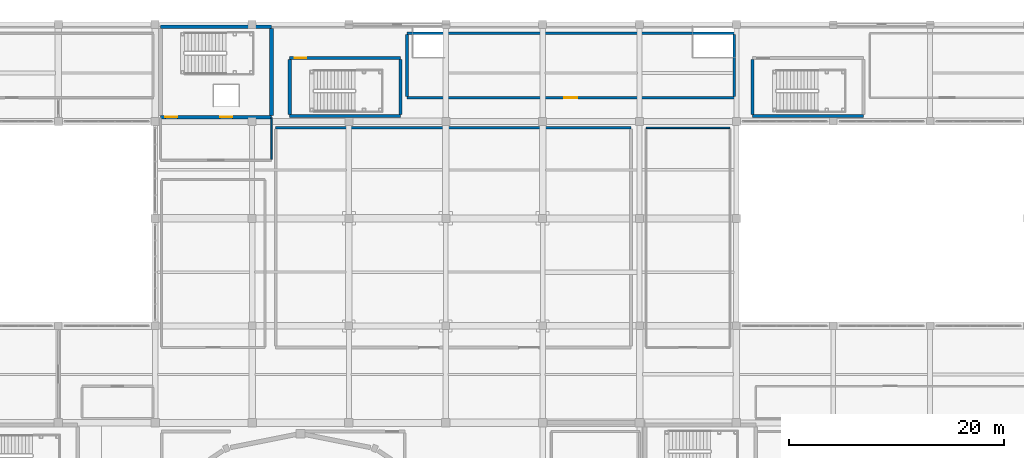
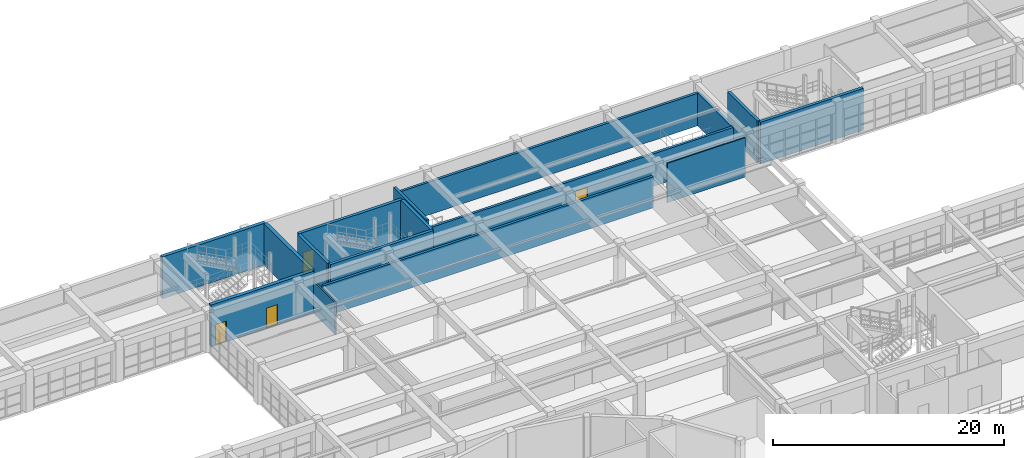
# One storey, part 114 of 133: 16 walls, 4 doors, 4 openings.
"""IFC4 building model written with IfcOpenShell, lengths in metres."""

from ifc_helpers import new_model, si_unit, direction, frame, frame_2d, origin, place, context, subcontext, project, spatial, rectangle, extrude, material, layer, layer_set, type_object, element, fill, save


model = new_model("IFC4")

# Units and contexts
model_context = context("Model", 3, precision=1e-05, world=origin(), true_north=direction((0.0, 1.0)))
body_context = subcontext(model_context, "Body", "Model", "MODEL_VIEW")
ifc_project = project(units=[si_unit("LENGTHUNIT", "METRE"), si_unit("AREAUNIT", "SQUARE_METRE"), si_unit("VOLUMEUNIT", "CUBIC_METRE"), si_unit("PLANEANGLEUNIT", "RADIAN"), si_unit("MASSUNIT", "GRAM", prefix="KILO")], contexts=[model_context])

# Site, building, storey
site_placement = place(None, origin())
site = spatial("IfcSite", under=ifc_project, at=site_placement, CompositionType="ELEMENT")
building_placement = place(site_placement, origin())
building = spatial("IfcBuilding", under=site, at=building_placement, Name="Miravela Opera House", CompositionType="ELEMENT")
storey_placement = place(building_placement, frame((0.0, 0.0, 5.10009765625)))
storey = spatial("IfcBuildingStorey", under=building, at=storey_placement, Name="L01", CompositionType="ELEMENT", Elevation=5.10009765625)

# Walls
ifc_material_1 = material(Name="Fire-rated acoustic gypsum partition")
ifc_layer_1 = layer(ifc_material_1, 0.1298828125)
ifc_layer_set_1 = layer_set([ifc_layer_1])
wall_type_1 = type_object("IfcWallType", Name="ARC-PT-130", PredefinedType="PARTITIONING", material=ifc_layer_set_1)
wall_1_placement = place(storey_placement, frame((108.60009765625, 102.39990234375, 0.0), z_axis=(0.0, 0.0, 1.0), x_axis=(1.0, 0.0, 0.0)))
element("IfcWall", 1, at=wall_1_placement, inside=storey, type_object=wall_type_1, Name="Studio Theatre Wing and Sound Control Room Partition North", PredefinedType="PARTITIONING", context=body_context, shape_type="SweptSolid", body=[
    extrude(rectangle(XDim=7.7998046875, YDim=0.1298828125, at=frame_2d((3.89990234375, 0.0))), origin(), (0.0, 0.0, 1.0), 4.159912109375),
])
ifc_material_2 = material(Name="Studio double-stud acoustic partition")
ifc_layer_2 = layer(ifc_material_2, 0.14990234375)
ifc_layer_set_2 = layer_set([ifc_layer_2])
wall_type_2 = type_object("IfcWallType", Name="ARC-PT-145", PredefinedType="PARTITIONING", material=ifc_layer_set_2)
wall_2_placement = place(storey_placement, frame((73.800048828125, 99.47509765625, 0.0), z_axis=(0.0, 0.0, 1.0), x_axis=(0.0, 1.0, 0.0)))
element("IfcWall", 2, at=wall_2_placement, inside=storey, type_object=wall_type_2, Name="Passenger Lift Lobby K5 L01 Partition East", PredefinedType="PARTITIONING", context=body_context, shape_type="SweptSolid", body=[
    extrude(rectangle(XDim=3.849853515625, YDim=0.14990234375, at=frame_2d((1.9248046875, 0.0))), origin(), (0.0, 0.0, 1.0), 3.389892578125),
])
ifc_material_3 = material(Name="Firefighting lobby compartment wall")
ifc_layer_3 = layer(ifc_material_3, 0.25)
ifc_layer_set_3 = layer_set([ifc_layer_3])
wall_type_3 = type_object("IfcWallType", Name="ARC-PT-220", PredefinedType="PARTITIONING", material=ifc_layer_set_3)
wall_3_placement = place(storey_placement, frame((74.199951171875, 102.39990234375, 0.0), z_axis=(0.0, 0.0, 1.0), x_axis=(1.0, 0.0, 0.0)))
element("IfcWall", 3, at=wall_3_placement, inside=storey, type_object=wall_type_3, Name="Chamber Studio Theatre Stalls Partition North", PredefinedType="PARTITIONING", context=body_context, shape_type="SweptSolid", body=[
    extrude(rectangle(XDim=33.0, YDim=0.25, at=frame_2d((16.5, 0.0))), origin(), (0.0, 0.0, 1.0), 3.289794921875),
])

# Wall, opening, door
wall_4_placement = place(storey_placement, frame((86.39990234375, 105.199951171875, 0.0), z_axis=(0.0, 0.0, 1.0), x_axis=(1.0, 0.0, 0.0)))
wall_4 = element("IfcWall", 4, at=wall_4_placement, inside=storey, type_object=wall_type_3, Name="Historical Libretto Archive Room Partition South", PredefinedType="PARTITIONING", context=body_context, shape_type="SweptSolid", body=[
    extrude(rectangle(XDim=30.400146484375, YDim=0.25, at=frame_2d((15.2001953125, 0.0))), origin(), (0.0, 0.0, 1.0), 3.43994140625),
])
opening_1_placement = place(wall_4_placement, frame((14.60009765625, 0.0, 0.0)))
opening_1 = element("IfcOpeningElement", 5, at=opening_1_placement, cuts=wall_4, Name="Opening ID-04", PredefinedType="OPENING", context=body_context, shape_type="SweptSolid", body=[
    extrude(rectangle(XDim=1.199951171875, YDim=2.199951171875, at=frame_2d((0.60009765625, 1.10009765625))), frame((0.0, 0.135009765625, 0.0), z_axis=(0.0, -1.0, 0.0), x_axis=(1.0, 0.0, 0.0)), (0.0, 0.0, 1.0), 0.27001953125),
])
ifc_material_4 = material(Name="Wide acoustic ensemble door")
door_type_1 = type_object("IfcDoorType", Name="ARC-DR-1200X2200", OperationType="NOTDEFINED", PredefinedType="DOOR", material=ifc_material_4)
door_1_placement = place(opening_1_placement, origin())
door_1 = element("IfcDoor", 6, at=door_1_placement, inside=storey, type_object=door_type_1, Name="Historical Libretto Archive Room Entry Door IDR-L01-0212", OperationType="SINGLE_SWING_RIGHT", OverallHeight=2.199951171875, OverallWidth=1.199951171875, PredefinedType="DOOR", context=body_context, shape_type="SweptSolid", body=[
    extrude(rectangle(XDim=1.199951171875, YDim=2.199951171875, at=frame_2d((0.60009765625, 1.10009765625))), frame((0.0, 0.02490234375, 0.0), z_axis=(0.0, -1.0, 0.0), x_axis=(1.0, 0.0, 0.0)), (0.0, 0.0, 1.0), 0.050048828125),
])
fill(opening_1, door_1)

# Walls
wall_5_placement = place(storey_placement, frame((86.39990234375, 111.199951171875, 0.0), z_axis=(0.0, 0.0, 1.0), x_axis=(1.0, 0.0, 0.0)))
element("IfcWall", 7, at=wall_5_placement, inside=storey, type_object=wall_type_3, Name="Historical Libretto Archive Room Partition North", PredefinedType="PARTITIONING", context=body_context, shape_type="SweptSolid", body=[
    extrude(rectangle(XDim=30.400146484375, YDim=0.25, at=frame_2d((15.2001953125, 0.0))), origin(), (0.0, 0.0, 1.0), 3.43994140625),
])
wall_6_placement = place(storey_placement, frame((86.39990234375, 105.324951171875, 0.0), z_axis=(0.0, 0.0, 1.0), x_axis=(0.0, 1.0, 0.0)))
element("IfcWall", 8, at=wall_6_placement, inside=storey, type_object=wall_type_3, Name="Historical Libretto Archive Room Partition West", PredefinedType="PARTITIONING", context=body_context, shape_type="SweptSolid", body=[
    extrude(rectangle(XDim=5.75, YDim=0.25, at=frame_2d((2.875, 0.0))), origin(), (0.0, 0.0, 1.0), 4.159912109375),
])
wall_7_placement = place(storey_placement, frame((116.800048828125, 105.324951171875, 0.0), z_axis=(0.0, 0.0, 1.0), x_axis=(0.0, 1.0, 0.0)))
element("IfcWall", 9, at=wall_7_placement, inside=storey, type_object=wall_type_3, Name="Historical Libretto Archive Room Partition East", PredefinedType="PARTITIONING", context=body_context, shape_type="SweptSolid", body=[
    extrude(rectangle(XDim=5.75, YDim=0.25, at=frame_2d((2.875, 0.0))), origin(), (0.0, 0.0, 1.0), 3.489990234375),
])

# Wall, openings, doors
ifc_material_5 = material(Name="Concrete C40/50", Category="concrete")
ifc_layer_4 = layer(ifc_material_5, 0.35009765625)
ifc_layer_set_4 = layer_set([ifc_layer_4])
wall_type_4 = type_object("IfcWallType", Name="STR-WALL-CORE-350", PredefinedType="SHEAR", material=ifc_layer_set_4)
wall_8_placement = place(storey_placement, frame((63.5, 103.39990234375, 0.0), z_axis=(0.0, 0.0, 1.0), x_axis=(1.0, 0.0, 0.0)))
wall_8 = element("IfcWall", 10, at=wall_8_placement, inside=storey, type_object=wall_type_4, Name="Core K5 Shear Wall South (L01)", PredefinedType="SHEAR", context=body_context, shape_type="SweptSolid", body=[
    extrude(rectangle(XDim=10.300048828125, YDim=0.35009765625, at=frame_2d((5.14990234375, 0.0))), origin(), (0.0, 0.0, 1.0), 4.419921875),
])
opening_2_placement = place(wall_8_placement, frame((0.449951171875, 0.0, 0.0)))
opening_2 = element("IfcOpeningElement", 11, at=opening_2_placement, cuts=wall_8, Name="Opening FD-01", PredefinedType="OPENING", context=body_context, shape_type="SweptSolid", body=[
    extrude(rectangle(XDim=1.10009765625, YDim=2.199951171875, at=frame_2d((0.550048828125, 1.10009765625))), frame((0.0, 0.18505859375, 0.0), z_axis=(0.0, -1.0, 0.0), x_axis=(1.0, 0.0, 0.0)), (0.0, 0.0, 1.0), 0.3701171875),
])
opening_3_placement = place(wall_8_placement, frame((5.5400390625, 0.0, 0.0)))
opening_3 = element("IfcOpeningElement", 12, at=opening_3_placement, cuts=wall_8, Name="Opening LD-02", PredefinedType="OPENING", context=body_context, shape_type="SweptSolid", body=[
    extrude(rectangle(XDim=1.1201171875, YDim=2.159912109375, at=frame_2d((0.56005859375, 1.080078125))), frame((0.0, 0.18505859375, 0.0), z_axis=(0.0, -1.0, 0.0), x_axis=(1.0, 0.0, 0.0)), (0.0, 0.0, 1.0), 0.3701171875),
])
ifc_material_6 = material(Name="Fire-rated steel/hardwood exit stair door", Category="steel")
door_type_2 = type_object("IfcDoorType", Name="ARC-FD-1100X2200", OperationType="NOTDEFINED", PredefinedType="DOOR", material=ifc_material_6)
door_2_placement = place(opening_2_placement, origin())
door_2 = element("IfcDoor", 13, at=door_2_placement, inside=storey, type_object=door_type_2, Name="Exit Stair ST-05 Rated Door (L01) IDR-L01-0032", OperationType="SINGLE_SWING_RIGHT", OverallHeight=2.199951171875, OverallWidth=1.10009765625, PredefinedType="DOOR", context=body_context, shape_type="SweptSolid", body=[
    extrude(rectangle(XDim=1.10009765625, YDim=2.199951171875, at=frame_2d((0.550048828125, 1.10009765625))), frame((0.0, 0.02490234375, 0.0), z_axis=(0.0, -1.0, 0.0), x_axis=(1.0, 0.0, 0.0)), (0.0, 0.0, 1.0), 0.050048828125),
])
fill(opening_2, door_2)
ifc_material_7 = material(Name="Brushed stainless and bronze fire-rated lift landing door")
door_type_3 = type_object("IfcDoorType", Name="ARC-LD-PAX-1100X2150", OperationType="SLIDING_TO_LEFT", PredefinedType="DOOR", material=ifc_material_7)
door_3_placement = place(opening_3_placement, origin())
door_3 = element("IfcDoor", 14, at=door_3_placement, inside=storey, type_object=door_type_3, Name="Lift Landing Door PL-04 (L01)", OperationType="SLIDING_TO_LEFT", OverallHeight=2.159912109375, OverallWidth=1.1201171875, PredefinedType="DOOR", context=body_context, shape_type="SweptSolid", body=[
    extrude(rectangle(XDim=1.1201171875, YDim=2.159912109375, at=frame_2d((0.56005859375, 1.080078125))), frame((0.0, 0.02490234375, 0.0), z_axis=(0.0, -1.0, 0.0), x_axis=(1.0, 0.0, 0.0)), (0.0, 0.0, 1.0), 0.050048828125),
])
fill(opening_3, door_3)

# Walls
wall_9_placement = place(storey_placement, frame((63.5, 111.800048828125, 0.0), z_axis=(0.0, 0.0, 1.0), x_axis=(1.0, 0.0, 0.0)))
element("IfcWall", 15, at=wall_9_placement, inside=storey, type_object=wall_type_4, Name="Core K5 Shear Wall North (L01)", PredefinedType="SHEAR", context=body_context, shape_type="SweptSolid", body=[
    extrude(rectangle(XDim=10.300048828125, YDim=0.35009765625, at=frame_2d((5.14990234375, 0.0))), origin(), (0.0, 0.0, 1.0), 4.419921875),
])
wall_10_placement = place(storey_placement, frame((73.800048828125, 103.574951171875, 0.0), z_axis=(0.0, 0.0, 1.0), x_axis=(0.0, 1.0, 0.0)))
element("IfcWall", 16, at=wall_10_placement, inside=storey, type_object=wall_type_4, Name="Core K5 Shear Wall East (L01)", PredefinedType="SHEAR", context=body_context, shape_type="SweptSolid", body=[
    extrude(rectangle(XDim=8.050048828125, YDim=0.35009765625, at=frame_2d((4.02490234375, 0.0))), origin(), (0.0, 0.0, 1.0), 4.419921875),
])
ifc_material_8 = material(Name="Concrete C35/45", Category="concrete")
ifc_layer_5 = layer(ifc_material_8, 0.300048828125)
ifc_layer_set_5 = layer_set([ifc_layer_5])
wall_type_5 = type_object("IfcWallType", Name="STR-WALL-WING-300", PredefinedType="SHEAR", material=ifc_layer_set_5)
wall_11_placement = place(storey_placement, frame((75.5, 103.5, 0.0), z_axis=(0.0, 0.0, 1.0), x_axis=(1.0, 0.0, 0.0)))
element("IfcWall", 17, at=wall_11_placement, inside=storey, type_object=wall_type_5, Name="Core ST-07 Shear Wall South (L01)", PredefinedType="SHEAR", context=body_context, shape_type="SweptSolid", body=[
    extrude(rectangle(XDim=10.300048828125, YDim=0.300048828125, at=frame_2d((5.14990234375, 0.0))), origin(), (0.0, 0.0, 1.0), 4.419921875),
])

# Wall, opening, door
wall_12_placement = place(storey_placement, frame((75.5, 108.89990234375, 0.0), z_axis=(0.0, 0.0, 1.0), x_axis=(1.0, 0.0, 0.0)))
wall_12 = element("IfcWall", 18, at=wall_12_placement, inside=storey, type_object=wall_type_5, Name="Core ST-07 Shear Wall North (L01)", PredefinedType="SHEAR", context=body_context, shape_type="SweptSolid", body=[
    extrude(rectangle(XDim=10.300048828125, YDim=0.300048828125, at=frame_2d((5.14990234375, 0.0))), origin(), (0.0, 0.0, 1.0), 4.419921875),
])
opening_4_placement = place(wall_12_placement, frame((0.449951171875, 0.0, 0.0)))
opening_4 = element("IfcOpeningElement", 19, at=opening_4_placement, cuts=wall_12, Name="Opening FD-01", PredefinedType="OPENING", context=body_context, shape_type="SweptSolid", body=[
    extrude(rectangle(XDim=1.10009765625, YDim=2.199951171875, at=frame_2d((0.550048828125, 1.10009765625))), frame((0.0, 0.159912109375, 0.0), z_axis=(0.0, -1.0, 0.0), x_axis=(1.0, 0.0, 0.0)), (0.0, 0.0, 1.0), 0.320068359375),
])
door_4_placement = place(opening_4_placement, frame((1.10009765625, 0.0, 0.0), z_axis=(0.0, 0.0, 1.0), x_axis=(-1.0, 0.0, 0.0)))
door_4 = element("IfcDoor", 20, at=door_4_placement, inside=storey, type_object=door_type_2, Name="Exit Stair ST-07 Rated Door (L01) IDR-L01-0043", OperationType="SINGLE_SWING_LEFT", OverallHeight=2.199951171875, OverallWidth=1.10009765625, PredefinedType="DOOR", context=body_context, shape_type="SweptSolid", body=[
    extrude(rectangle(XDim=1.10009765625, YDim=2.199951171875, at=frame_2d((0.550048828125, 1.10009765625))), frame((0.0, 0.02490234375, 0.0), z_axis=(0.0, -1.0, 0.0), x_axis=(1.0, 0.0, 0.0)), (0.0, 0.0, 1.0), 0.050048828125),
])
fill(opening_4, door_4)

# Walls
for number, where, z_axis, x_axis, name in (
    (21, (75.5, 103.64990234375, 0.0), (0.0, 0.0, 1.0), (0.0, 1.0, 0.0), "Core ST-07 Shear Wall West (L01)"),
    (22, (85.800048828125, 103.64990234375, 0.0), (0.0, 0.0, 1.0), (0.0, 1.0, 0.0), "Core ST-07 Shear Wall East (L01)"),
):
    element("IfcWall", number, at=place(storey_placement, frame(where, z_axis=z_axis, x_axis=x_axis)), inside=storey, type_object=wall_type_5, Name=name, PredefinedType="SHEAR", context=body_context, shape_type="SweptSolid", body=[
        extrude(rectangle(XDim=5.10009765625, YDim=0.300048828125, at=frame_2d((2.550048828125, 0.0))), origin(), (0.0, 0.0, 1.0), 4.419921875),
    ])
wall_13_placement = place(storey_placement, frame((118.5, 103.5, 0.0), z_axis=(0.0, 0.0, 1.0), x_axis=(1.0, 0.0, 0.0)))
element("IfcWall", 23, at=wall_13_placement, inside=storey, type_object=wall_type_5, Name="Core ST-09 Shear Wall South (L01)", PredefinedType="SHEAR", context=body_context, shape_type="SweptSolid", body=[
    extrude(rectangle(XDim=10.300048828125, YDim=0.300048828125, at=frame_2d((5.14990234375, 0.0))), origin(), (0.0, 0.0, 1.0), 4.419921875),
])
wall_14_placement = place(storey_placement, frame((118.5, 103.64990234375, 0.0), z_axis=(0.0, 0.0, 1.0), x_axis=(0.0, 1.0, 0.0)))
element("IfcWall", 24, at=wall_14_placement, inside=storey, type_object=wall_type_5, Name="Core ST-09 Shear Wall West (L01)", PredefinedType="SHEAR", context=body_context, shape_type="SweptSolid", body=[
    extrude(rectangle(XDim=5.10009765625, YDim=0.300048828125, at=frame_2d((2.550048828125, 0.0))), origin(), (0.0, 0.0, 1.0), 4.419921875),
])

save(model, "model.ifc")
